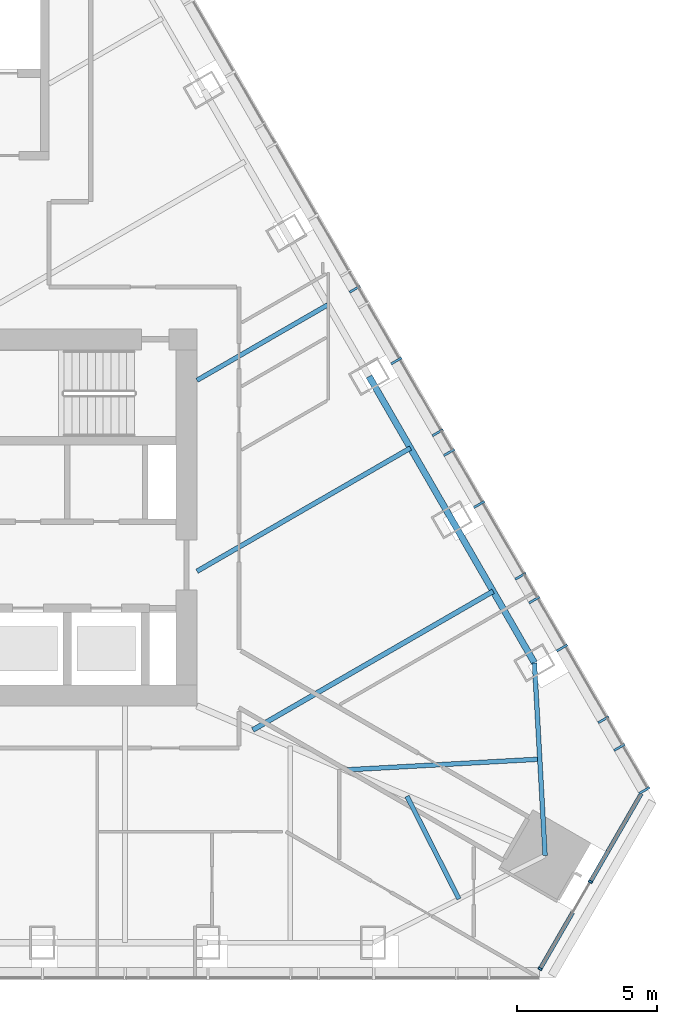
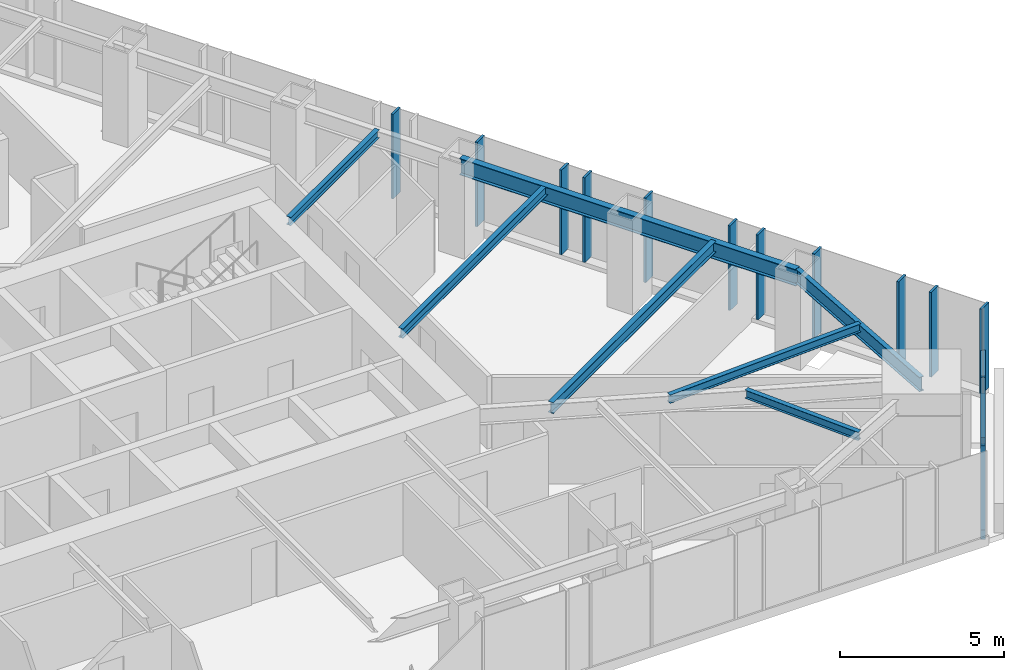
# One storey, part 4 of 15: 16 members, 7 beams, 2 elements without a shape of their own.
"""IFC4 building model written with IfcOpenShell, lengths in metres."""

from ifc_helpers import new_model, si_unit, direction, frame, origin, origin_2d, place, context, subcontext, project, spatial, rectangle, i_section, extrude, material, layer, layer_set, material_profile, profile_set, type_object, element, aggregate, save


model = new_model("IFC4")

# Units and contexts
model_context = context("Model", 3, precision=1e-05, world=origin(), true_north=direction((0.0, 1.0)))
body_context = subcontext(model_context, "Body", "Model", "MODEL_VIEW")
ifc_project = project(units=[si_unit("LENGTHUNIT", "METRE"), si_unit("AREAUNIT", "SQUARE_METRE"), si_unit("VOLUMEUNIT", "CUBIC_METRE"), si_unit("PLANEANGLEUNIT", "RADIAN"), si_unit("MASSUNIT", "GRAM", prefix="KILO")], contexts=[model_context])

# Site, building, storey
site_placement = place(None, origin())
site = spatial("IfcSite", under=ifc_project, at=site_placement, CompositionType="ELEMENT")
building_placement = place(site_placement, origin())
building = spatial("IfcBuilding", under=site, at=building_placement, Name="Firuza Gate Tower and Library", CompositionType="ELEMENT")
storey_placement = place(building_placement, frame((0.0, 0.0, 309.10009765625)))
storey = spatial("IfcBuildingStorey", under=building, at=storey_placement, Name="L75", CompositionType="ELEMENT", Elevation=309.10009765625)

# Curtain wall, members
ifc_material_1 = material(Name="Aluminium 6063-T6", Category="aluminium")
ifc_layer_1 = layer(ifc_material_1, 0.14990234375)
ifc_layer_set_1 = layer_set([ifc_layer_1], Name="Corner curtain wall, chamfers")
curtain_wall_type_1 = type_object("IfcCurtainWallType", Name="Corner curtain wall, chamfers", PredefinedType="NOTDEFINED", material=ifc_layer_set_1)
placement = place(storey_placement, origin())
curtain_wall_1 = element("IfcCurtainWall", 1, at=placement, inside=storey, type_object=curtain_wall_type_1, Name="CW4 L75 SE corner", PredefinedType="NOTDEFINED")
ifc_material_2 = material(Name="Aluminium 6063-T6", Category="aluminium")
ifc_material_profile_1 = material_profile(ifc_material_2, rectangle(XDim=0.14990234375, YDim=0.080078125, at=origin_2d()))
ifc_profile_set_1 = profile_set([ifc_material_profile_1], Name="Aluminium 6063-T6")
member_type_1 = type_object("IfcMemberType", Name="Curtain wall mullion 80x150", PredefinedType="MULLION", material=ifc_profile_set_1)
member_1_placement = place(storey_placement, frame((95.783203125, 58.840087890625, 0.14990234375), z_axis=(0.0, 0.0, 1.0), x_axis=(-0.866025403784, 0.5, 0.0)))
member_1 = element("IfcMember", 2, at=member_1_placement, type_object=member_type_1, Name="Mullion", PredefinedType="MULLION", context=body_context, shape_type="SweptSolid", body=[
    extrude(rectangle(XDim=0.14990234375, YDim=0.080078125, at=origin_2d()), origin(), (0.0, 0.0, 1.0), 3.14990234375),
])
member_2_placement = place(storey_placement, frame((97.5849609375, 61.960693359375, 0.14990234375), z_axis=(0.0, 0.0, 1.0), x_axis=(-0.866025403784, 0.5, 0.0)))
member_2 = element("IfcMember", 3, at=member_2_placement, type_object=member_type_1, Name="Mullion", PredefinedType="MULLION", context=body_context, shape_type="SweptSolid", body=[
    extrude(rectangle(XDim=0.14990234375, YDim=0.080078125, at=origin_2d()), origin(), (0.0, 0.0, 1.0), 3.14990234375),
])

ifc_material_3 = material(Name="Aluminium 6063-T6", Category="aluminium")
ifc_layer_2 = layer(ifc_material_3, 0.14990234375)
ifc_layer_set_2 = layer_set([ifc_layer_2], Name="Unitised curtain wall, residences")
curtain_wall_type_2 = type_object("IfcCurtainWallType", Name="Unitised curtain wall, residences", PredefinedType="NOTDEFINED", material=ifc_layer_set_2)
curtain_wall_2 = element("IfcCurtainWall", 4, at=placement, inside=storey, type_object=curtain_wall_type_2, Name="CW3 L75 E face", PredefinedType="NOTDEFINED")
ifc_material_4 = material(Name="Aluminium 6063-T6", Category="aluminium")
ifc_material_profile_2 = material_profile(ifc_material_4, rectangle(XDim=0.43994140625, YDim=0.080078125, at=origin_2d()))
ifc_profile_set_2 = profile_set([ifc_material_profile_2], Name="Aluminium 6063-T6")
member_type_2 = type_object("IfcMemberType", Name="Curtain wall mullion 80x440", PredefinedType="MULLION", material=ifc_profile_set_2)
member_3_placement = place(storey_placement, frame((99.51220703125, 65.222900390625, 0.14990234375), z_axis=(0.0, 0.0, 1.0), x_axis=(-0.866025403784, -0.5, 0.0)))
member_3 = element("IfcMember", 5, at=member_3_placement, type_object=member_type_2, Name="Mullion", PredefinedType="MULLION", context=body_context, shape_type="SweptSolid", body=[
    extrude(rectangle(XDim=0.43994140625, YDim=0.080078125, at=origin_2d()), origin(), (0.0, 0.0, 1.0), 3.14990234375),
])
member_4_placement = place(storey_placement, frame((98.049072265625, 67.757080078125, 0.14990234375), z_axis=(0.0, 0.0, 1.0), x_axis=(-0.866025403784, -0.5, 0.0)))
member_4 = element("IfcMember", 6, at=member_4_placement, type_object=member_type_2, Name="Mullion", PredefinedType="MULLION", context=body_context, shape_type="SweptSolid", body=[
    extrude(rectangle(XDim=0.43994140625, YDim=0.080078125, at=origin_2d()), origin(), (0.0, 0.0, 1.0), 3.14990234375),
])
member_5_placement = place(storey_placement, frame((96.56591796875, 70.325927734375, 0.14990234375), z_axis=(0.0, 0.0, 1.0), x_axis=(-0.866025403784, -0.5, 0.0)))
member_5 = element("IfcMember", 7, at=member_5_placement, type_object=member_type_2, Name="Mullion", PredefinedType="MULLION", context=body_context, shape_type="SweptSolid", body=[
    extrude(rectangle(XDim=0.43994140625, YDim=0.080078125, at=origin_2d()), origin(), (0.0, 0.0, 1.0), 3.14990234375),
])
member_6_placement = place(storey_placement, frame((95.0830078125, 72.89453125, 0.14990234375), z_axis=(0.0, 0.0, 1.0), x_axis=(-0.866025403784, -0.5, 0.0)))
member_6 = element("IfcMember", 8, at=member_6_placement, type_object=member_type_2, Name="Mullion", PredefinedType="MULLION", context=body_context, shape_type="SweptSolid", body=[
    extrude(rectangle(XDim=0.43994140625, YDim=0.080078125, at=origin_2d()), origin(), (0.0, 0.0, 1.0), 3.14990234375),
])
member_7_placement = place(storey_placement, frame((93.599853515625, 75.46337890625, 0.14990234375), z_axis=(0.0, 0.0, 1.0), x_axis=(-0.866025403784, -0.5, 0.0)))
member_7 = element("IfcMember", 9, at=member_7_placement, type_object=member_type_2, Name="Mullion", PredefinedType="MULLION", context=body_context, shape_type="SweptSolid", body=[
    extrude(rectangle(XDim=0.43994140625, YDim=0.080078125, at=origin_2d()), origin(), (0.0, 0.0, 1.0), 3.14990234375),
])
member_8_placement = place(storey_placement, frame((92.11669921875, 78.0322265625, 0.14990234375), z_axis=(0.0, 0.0, 1.0), x_axis=(-0.866025403784, -0.5, 0.0)))
member_8 = element("IfcMember", 10, at=member_8_placement, type_object=member_type_2, Name="Mullion", PredefinedType="MULLION", context=body_context, shape_type="SweptSolid", body=[
    extrude(rectangle(XDim=0.43994140625, YDim=0.080078125, at=origin_2d()), origin(), (0.0, 0.0, 1.0), 3.14990234375),
])
member_9_placement = place(storey_placement, frame((90.633544921875, 80.60107421875, 0.14990234375), z_axis=(0.0, 0.0, 1.0), x_axis=(-0.866025403784, -0.5, 0.0)))
member_9 = element("IfcMember", 11, at=member_9_placement, type_object=member_type_2, Name="Mullion", PredefinedType="MULLION", context=body_context, shape_type="SweptSolid", body=[
    extrude(rectangle(XDim=0.43994140625, YDim=0.080078125, at=origin_2d()), origin(), (0.0, 0.0, 1.0), 3.14990234375),
])
member_10_placement = place(storey_placement, frame((89.150634765625, 83.169921875, 0.14990234375), z_axis=(0.0, 0.0, 1.0), x_axis=(-0.866025403784, -0.5, 0.0)))
member_10 = element("IfcMember", 12, at=member_10_placement, type_object=member_type_2, Name="Mullion", PredefinedType="MULLION", context=body_context, shape_type="SweptSolid", body=[
    extrude(rectangle(XDim=0.43994140625, YDim=0.080078125, at=origin_2d()), origin(), (0.0, 0.0, 1.0), 3.14990234375),
])
member_11_placement = place(storey_placement, frame((98.62109375, 66.76611328125, 0.14990234375), z_axis=(0.0, 0.0, 1.0), x_axis=(-0.866025403784, -0.5, 0.0)))
member_11 = element("IfcMember", 13, at=member_11_placement, type_object=member_type_2, Name="Mullion", PredefinedType="MULLION", context=body_context, shape_type="SweptSolid", body=[
    extrude(rectangle(XDim=0.43994140625, YDim=0.080078125, at=origin_2d()), origin(), (0.0, 0.0, 1.0), 3.14990234375),
])
member_12_placement = place(storey_placement, frame((95.5732421875, 72.04541015625, 0.14990234375), z_axis=(0.0, 0.0, 1.0), x_axis=(-0.866025403784, -0.5, 0.0)))
member_12 = element("IfcMember", 14, at=member_12_placement, type_object=member_type_2, Name="Mullion", PredefinedType="MULLION", context=body_context, shape_type="SweptSolid", body=[
    extrude(rectangle(XDim=0.43994140625, YDim=0.080078125, at=origin_2d()), origin(), (0.0, 0.0, 1.0), 3.14990234375),
])
member_13_placement = place(storey_placement, frame((92.525146484375, 77.32470703125, 0.14990234375), z_axis=(0.0, 0.0, 1.0), x_axis=(-0.866025403784, -0.5, 0.0)))
member_13 = element("IfcMember", 15, at=member_13_placement, type_object=member_type_2, Name="Mullion", PredefinedType="MULLION", context=body_context, shape_type="SweptSolid", body=[
    extrude(rectangle(XDim=0.43994140625, YDim=0.080078125, at=origin_2d()), origin(), (0.0, 0.0, 1.0), 3.14990234375),
])
aggregate(curtain_wall_2, [member_3, member_4, member_5, member_6, member_7, member_8, member_9, member_10, member_11, member_12, member_13])

# Member
ifc_material_5 = material(Name="Aluminium 6063-T6", Category="aluminium")
ifc_material_profile_3 = material_profile(ifc_material_5, rectangle(XDim=0.14990234375, YDim=0.35009765625, at=origin_2d()))
ifc_profile_set_3 = profile_set([ifc_material_profile_3], Name="Aluminium 6063-T6")
member_type_3 = type_object("IfcMemberType", Name="Curtain wall transom 350x150", PredefinedType="USERDEFINED", material=ifc_profile_set_3)
member_14_placement = place(storey_placement, frame((95.76318359375, 58.805419921875, -0.025146484375), z_axis=(0.500083105915, 0.865977417245, 0.0), x_axis=(-0.865977417245, 0.500083105915, 0.0)))
member_14 = element("IfcMember", 16, at=member_14_placement, type_object=member_type_3, Name="Transom", ObjectType="TRANSOM", PredefinedType="USERDEFINED", context=body_context, shape_type="SweptSolid", body=[
    extrude(rectangle(XDim=0.14990234375, YDim=0.35009765625, at=origin_2d()), origin(), (0.0, 0.0, 1.0), 2.36328125),
])

member_15_placement = place(storey_placement, frame((98.224853515625, 63.069091796875, -0.025146484375), z_axis=(0.500005632288, 0.866022151957, 0.0), x_axis=(-0.866022151957, 0.500005632288, 0.0)))
member_15 = element("IfcMember", 17, at=member_15_placement, type_object=member_type_3, Name="Transom", ObjectType="TRANSOM", PredefinedType="USERDEFINED", context=body_context, shape_type="SweptSolid", body=[
    extrude(rectangle(XDim=0.14990234375, YDim=0.35009765625, at=origin_2d()), origin(), (0.0, 0.0, 1.0), 2.36328125),
])

ifc_material_6 = material(Name="Aluminium 6063-T6", Category="aluminium")
ifc_material_profile_4 = material_profile(ifc_material_6, rectangle(XDim=0.14990234375, YDim=0.080078125, at=origin_2d()))
ifc_profile_set_4 = profile_set([ifc_material_profile_4], Name="Aluminium 6063-T6")
member_type_4 = type_object("IfcMemberType", Name="Curtain wall transom 80x150", PredefinedType="USERDEFINED", material=ifc_profile_set_4)
member_16_placement = place(storey_placement, frame((97.60498046875, 61.9951171875, 1.724853515625), z_axis=(0.500015035186, 0.866016723041, 0.0), x_axis=(-0.866016723041, 0.500015035186, 0.0)))
member_16 = element("IfcMember", 18, at=member_16_placement, type_object=member_type_4, Name="Transom", ObjectType="TRANSOM", PredefinedType="USERDEFINED", context=body_context, shape_type="SweptSolid", body=[
    extrude(rectangle(XDim=0.14990234375, YDim=0.080078125, at=origin_2d()), origin(), (0.0, 0.0, 1.0), 3.5634765625),
])

aggregate(curtain_wall_1, [member_1, member_2, member_14, member_15, member_16])

# Beams
ifc_material_7 = material(Name="Steel S355", Category="steel")
ifc_material_profile_5 = material_profile(ifc_material_7, i_section(OverallWidth=0.1650390625, OverallDepth=0.31005859375, WebThickness=0.005859375, FlangeThickness=0.009765625, at=origin_2d()))
ifc_profile_set_5 = profile_set([ifc_material_profile_5], Name="Steel S355")
beam_type_1 = type_object("IfcBeamType", Name="W310x39 Floor beam", PredefinedType="JOIST", material=ifc_profile_set_5)
beam_1_placement = place(storey_placement, frame((92.880615234375, 61.339111328125, 3.14501953125), z_axis=(-0.451491484808, 0.892275427851, 0.0), x_axis=(-0.892275427851, -0.451491484808, 0.0)))
element("IfcBeam", 19, at=beam_1_placement, inside=storey, type_object=beam_type_1, Name="Floor beam L75 s30", PredefinedType="JOIST", context=body_context, shape_type="SweptSolid", body=[
    extrude(i_section(OverallWidth=0.1650390625, OverallDepth=0.31005859375, WebThickness=0.005859375, FlangeThickness=0.009765625, at=origin_2d()), origin(), (0.0, 0.0, 1.0), 4.126953125),
])
beam_2_placement = place(storey_placement, frame((95.770751953125, 66.345458984375, 3.14501953125), z_axis=(-0.998479843112, -0.055118081421, 0.0), x_axis=(0.055118081421, -0.998479843112, 0.0)))
element("IfcBeam", 20, at=beam_2_placement, inside=storey, type_object=beam_type_1, Name="Floor beam L75 s40", PredefinedType="JOIST", context=body_context, shape_type="SweptSolid", body=[
    extrude(i_section(OverallWidth=0.1650390625, OverallDepth=0.31005859375, WebThickness=0.005859375, FlangeThickness=0.009765625, at=origin_2d()), origin(), (0.0, 0.0, 1.0), 6.9541015625),
])
beam_3_placement = place(storey_placement, frame((88.1806640625, 82.60986328125, 3.14501953125), z_axis=(-0.866024608893, -0.500001376791, 0.0), x_axis=(0.500001376791, -0.866024608893, 0.0)))
element("IfcBeam", 21, at=beam_3_placement, inside=storey, type_object=beam_type_1, Name="Floor beam L75 s52", PredefinedType="JOIST", context=body_context, shape_type="SweptSolid", body=[
    extrude(i_section(OverallWidth=0.1650390625, OverallDepth=0.31005859375, WebThickness=0.005859375, FlangeThickness=0.009765625, at=origin_2d()), origin(), (0.0, 0.0, 1.0), 5.40478515625),
])
ifc_material_8 = material(Name="Steel S355", Category="steel")
ifc_material_profile_6 = material_profile(ifc_material_8, i_section(OverallWidth=0.1708984375, OverallDepth=0.35498046875, WebThickness=0.007080078125, FlangeThickness=0.01171875, at=origin_2d()))
ifc_profile_set_6 = profile_set([ifc_material_profile_6], Name="Steel S355")
beam_type_2 = type_object("IfcBeamType", Name="W360x51 Floor beam", PredefinedType="JOIST", material=ifc_profile_set_6)
beam_4_placement = place(storey_placement, frame((91.140625, 77.48291015625, 3.122314453125), z_axis=(-0.866022456413, -0.500005104963, 0.0), x_axis=(0.500005104963, -0.866022456413, 0.0)))
element("IfcBeam", 22, at=beam_4_placement, inside=storey, type_object=beam_type_2, Name="Floor beam L75 s51", PredefinedType="JOIST", context=body_context, shape_type="SweptSolid", body=[
    extrude(i_section(OverallWidth=0.1708984375, OverallDepth=0.35498046875, WebThickness=0.007080078125, FlangeThickness=0.01171875, at=origin_2d()), origin(), (0.0, 0.0, 1.0), 8.82275390625),
])
ifc_material_9 = material(Name="Steel S355", Category="steel")
ifc_material_profile_7 = material_profile(ifc_material_9, i_section(OverallWidth=0.177978515625, OverallDepth=0.406982421875, WebThickness=0.0078125, FlangeThickness=0.0126953125, at=origin_2d()))
ifc_profile_set_7 = profile_set([ifc_material_profile_7], Name="Steel S355")
beam_type_3 = type_object("IfcBeamType", Name="W410x60 Floor beam", PredefinedType="JOIST", material=ifc_profile_set_7)
beam_5_placement = place(storey_placement, frame((94.1005859375, 72.35595703125, 3.096435546875), z_axis=(-0.866033287653, -0.49998634449, 0.0), x_axis=(0.49998634449, -0.866033287653, 0.0)))
element("IfcBeam", 23, at=beam_5_placement, inside=storey, type_object=beam_type_3, Name="Floor beam L75 s50", PredefinedType="JOIST", context=body_context, shape_type="SweptSolid", body=[
    extrude(i_section(OverallWidth=0.177978515625, OverallDepth=0.406982421875, WebThickness=0.0078125, FlangeThickness=0.0126953125, at=origin_2d()), origin(), (0.0, 0.0, 1.0), 9.930419921875),
])
ifc_material_10 = material(Name="Steel S355", Category="steel")
ifc_material_profile_8 = material_profile(ifc_material_10, i_section(OverallWidth=0.166015625, OverallDepth=0.534912109375, WebThickness=0.01025390625, FlangeThickness=0.0166015625, at=origin_2d()))
ifc_profile_set_8 = profile_set([ifc_material_profile_8], Name="Steel S355")
beam_type_4 = type_object("IfcBeamType", Name="W530x85 Edge beam", PredefinedType="SPANDREL", material=ifc_profile_set_8)
beam_6_placement = place(storey_placement, frame((95.961181640625, 62.898193359375, 3.032470703125), z_axis=(-0.055121451324, 0.998479657081, 0.0), x_axis=(-0.998479657081, -0.055121451324, 0.0)))
element("IfcBeam", 24, at=beam_6_placement, inside=storey, type_object=beam_type_4, Name="Edge beam L75 e40", PredefinedType="SPANDREL", context=body_context, shape_type="SweptSolid", body=[
    extrude(i_section(OverallWidth=0.166015625, OverallDepth=0.534912109375, WebThickness=0.01025390625, FlangeThickness=0.0166015625, at=origin_2d()), origin(), (0.0, 0.0, 1.0), 6.905029296875),
])
ifc_material_11 = material(Name="Steel S355", Category="steel")
ifc_material_profile_9 = material_profile(ifc_material_11, i_section(OverallWidth=0.22900390625, OverallDepth=0.612060546875, WebThickness=0.011962890625, FlangeThickness=0.01953125, at=origin_2d()))
ifc_profile_set_9 = profile_set([ifc_material_profile_9], Name="Steel S355")
beam_type_5 = type_object("IfcBeamType", Name="W610x125 Edge beam", PredefinedType="SPANDREL", material=ifc_profile_set_9)
beam_7_placement = place(storey_placement, frame((95.58056640625, 69.792724609375, 2.993896484375), z_axis=(-0.499997928356, 0.866026599845, 0.0), x_axis=(-0.866026599845, -0.499997928356, 0.0)))
element("IfcBeam", 25, at=beam_7_placement, inside=storey, type_object=beam_type_5, Name="Edge beam L75 e50", PredefinedType="SPANDREL", context=body_context, shape_type="SweptSolid", body=[
    extrude(i_section(OverallWidth=0.22900390625, OverallDepth=0.612060546875, WebThickness=0.011962890625, FlangeThickness=0.01953125, at=origin_2d()), origin(), (0.0, 0.0, 1.0), 11.83984375),
])

save(model, "model.ifc")
